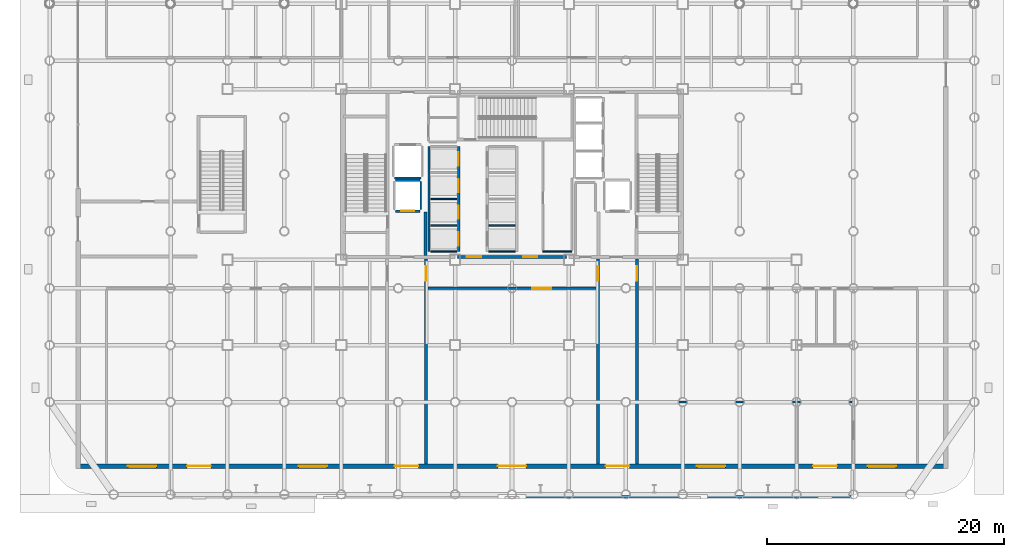
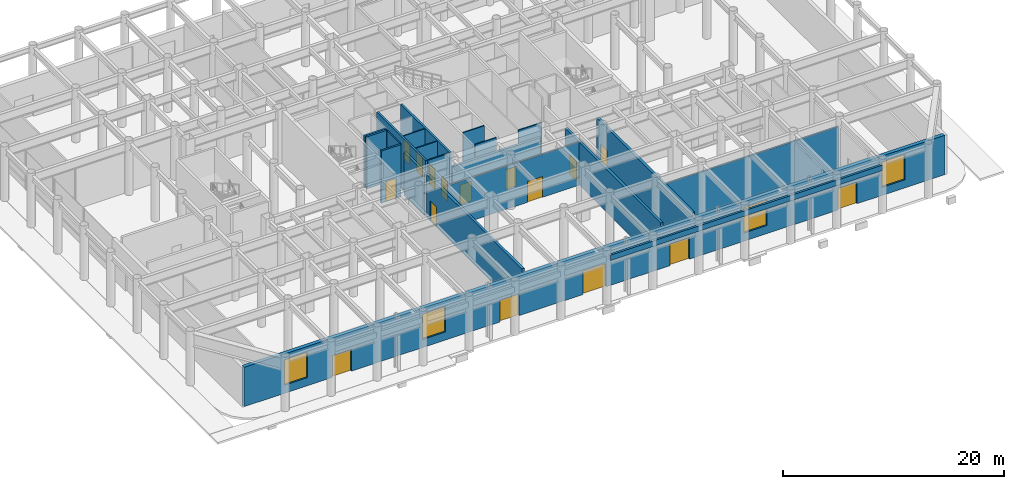
# One storey, part 16 of 23: 21 walls, 16 doors, 4 windows, 20 openings.
"""IFC4 building model written with IfcOpenShell, lengths in metres."""

from ifc_helpers import new_model, si_unit, direction, frame, frame_2d, origin, place, context, subcontext, project, spatial, rectangle, extrude, material, layer, layer_set, type_object, element, fill, save


model = new_model("IFC4")

# Units and contexts
model_context = context("Model", 3, precision=1e-05, world=origin(), true_north=direction((0.0, 1.0)))
body_context = subcontext(model_context, "Body", "Model", "MODEL_VIEW")
ifc_project = project(units=[si_unit("LENGTHUNIT", "METRE"), si_unit("AREAUNIT", "SQUARE_METRE"), si_unit("VOLUMEUNIT", "CUBIC_METRE"), si_unit("PLANEANGLEUNIT", "RADIAN"), si_unit("MASSUNIT", "GRAM", prefix="KILO")], contexts=[model_context])

# Site, building, storey
site_placement = place(None, origin())
site = spatial("IfcSite", under=ifc_project, at=site_placement, CompositionType="ELEMENT")
building_placement = place(site_placement, origin())
building = spatial("IfcBuilding", under=site, at=building_placement, Name="Kallvorn Hotel Tower", CompositionType="ELEMENT")
storey_placement = place(building_placement, origin())
storey = spatial("IfcBuildingStorey", under=building, at=storey_placement, Name="L00", CompositionType="ELEMENT", Elevation=0.0)

# Wall
ifc_material_1 = material(Name="Fire-rated double-layer acoustic gypsum drywall EI 60")
ifc_layer_1 = layer(ifc_material_1, 0.179931640625)
ifc_layer_set_1 = layer_set([ifc_layer_1], Name="WL_CORR_180")
wall_type_1 = type_object("IfcWallType", Name="WL_CORR_180", PredefinedType="PARTITIONING", material=ifc_layer_set_1)
wall_1_placement = place(storey_placement, frame((10.699951171875, -19.199951171875, 0.0), z_axis=(0.0, 0.0, 1.0), x_axis=(1.0, 0.0, 0.0)))
element("IfcWall", 1, at=wall_1_placement, inside=storey, type_object=wall_type_1, Name="L00 Fire Command Centre Partition", PredefinedType="PARTITIONING", context=body_context, shape_type="SweptSolid", body=[
    extrude(rectangle(XDim=17.97998046875, YDim=0.179931640625, at=frame_2d((8.989990234375, 0.0))), origin(), (0.0, 0.0, 1.0), 4.75),
])

# Wall, opening, door
wall_2_placement = place(storey_placement, frame((-7.10009765625, -9.60009765625, 0.0), z_axis=(0.0, 0.0, 1.0), x_axis=(1.0, 0.0, 0.0)))
wall_2 = element("IfcWall", 2, at=wall_2_placement, inside=storey, type_object=wall_type_1, Name="L00 Hotel Grand Arrival Lobby and Reception Partition", PredefinedType="PARTITIONING", context=body_context, shape_type="SweptSolid", body=[
    extrude(rectangle(XDim=14.2001953125, YDim=0.179931640625, at=frame_2d((7.10009765625, 0.0))), origin(), (0.0, 0.0, 1.0), 4.75),
])
opening_1_placement = place(wall_2_placement, frame((8.791748046875, 0.0, 0.0)))
opening_1 = element("IfcOpeningElement", 3, at=opening_1_placement, cuts=wall_2, Name="Opening HD1", PredefinedType="OPENING", context=body_context, shape_type="SweptSolid", body=[
    extrude(rectangle(XDim=1.60009765625, YDim=2.300048828125, at=frame_2d((0.800048828125, 1.14990234375))), frame((0.0, 0.104736328125, 0.0), z_axis=(0.0, -1.0, 0.0), x_axis=(1.0, 0.0, 0.0)), (0.0, 0.0, 1.0), 0.2099609375),
])
ifc_material_2 = material(Name="Solid-core walnut veneer fire-rated timber door leaf", Category="wood")
door_type_1 = type_object("IfcDoorType", Name="DR_HALL_1600x2300", OperationType="DOUBLE_DOOR_SINGLE_SWING", PredefinedType="DOOR", material=ifc_material_2)
door_1_placement = place(opening_1_placement, origin())
door_1 = element("IfcDoor", 4, at=door_1_placement, inside=storey, type_object=door_type_1, Name="L00 Hotel Grand Arrival Lobby and Reception Door", OperationType="DOUBLE_DOOR_SINGLE_SWING", OverallHeight=2.300048828125, OverallWidth=1.60009765625, PredefinedType="DOOR", context=body_context, shape_type="SweptSolid", body=[
    extrude(rectangle(XDim=1.60009765625, YDim=2.300048828125, at=frame_2d((0.800048828125, 1.14990234375))), frame((0.0, 0.02490234375, 0.0), z_axis=(0.0, -1.0, 0.0), x_axis=(1.0, 0.0, 0.0)), (0.0, 0.0, 1.0), 0.050048828125),
])
fill(opening_1, door_1)

# Wall, openings, doors, windows
ifc_material_3 = material(Name="Precast basalt-clad insulated concrete wall C40/50", Category="masonry")
ifc_layer_2 = layer(ifc_material_3, 0.3798828125)
ifc_layer_set_2 = layer_set([ifc_layer_2], Name="WL_EXT_PODIUM_380")
wall_type_2 = type_object("IfcWallType", Name="WL_EXT_PODIUM_380", PredefinedType="SOLIDWALL", material=ifc_layer_set_2)
wall_3_placement = place(storey_placement, frame((36.60009765625, -24.60009765625, 0.0), z_axis=(0.0, 0.0, 1.0), x_axis=(-1.0, 0.0, 0.0)))
wall_3 = element("IfcWall", 5, at=wall_3_placement, inside=storey, type_object=wall_type_2, Name="L00 South Colonnade Street Frontage Wall", PredefinedType="SOLIDWALL", context=body_context, shape_type="SweptSolid", body=[
    extrude(rectangle(XDim=73.2001953125, YDim=0.3798828125, at=frame_2d((36.60009765625, 0.0))), origin(), (0.0, 0.0, 1.0), 4.35009765625),
])
opening_2_placement = place(wall_3_placement, frame((62.0, 0.0, 0.0)))
opening_2 = element("IfcOpeningElement", 6, at=opening_2_placement, cuts=wall_3, Name="Opening ED01", PredefinedType="OPENING", context=body_context, shape_type="SweptSolid", body=[
    extrude(rectangle(XDim=2.0, YDim=2.39990234375, at=frame_2d((1.0, 1.199951171875))), frame((0.0, 0.204833984375, 0.0), z_axis=(0.0, -1.0, 0.0), x_axis=(1.0, 0.0, 0.0)), (0.0, 0.0, 1.0), 0.409912109375),
])
opening_3_placement = place(wall_3_placement, frame((44.5, 0.0, 0.0)))
opening_3 = element("IfcOpeningElement", 7, at=opening_3_placement, cuts=wall_3, Name="Opening ED02", PredefinedType="OPENING", context=body_context, shape_type="SweptSolid", body=[
    extrude(rectangle(XDim=2.0, YDim=2.39990234375, at=frame_2d((1.0, 1.199951171875))), frame((0.0, 0.204833984375, 0.0), z_axis=(0.0, -1.0, 0.0), x_axis=(1.0, 0.0, 0.0)), (0.0, 0.0, 1.0), 0.409912109375),
])
opening_4_placement = place(wall_3_placement, frame((35.39990234375, 0.0, 0.0)))
opening_4 = element("IfcOpeningElement", 8, at=opening_4_placement, cuts=wall_3, Name="Opening ED03", PredefinedType="OPENING", context=body_context, shape_type="SweptSolid", body=[
    extrude(rectangle(XDim=2.39990234375, YDim=2.60009765625, at=frame_2d((1.199951171875, 1.300048828125))), frame((0.0, 0.204833984375, 0.0), z_axis=(0.0, -1.0, 0.0), x_axis=(1.0, 0.0, 0.0)), (0.0, 0.0, 1.0), 0.409912109375),
])
opening_5_placement = place(wall_3_placement, frame((26.699951171875, 0.0, 0.0)))
opening_5 = element("IfcOpeningElement", 9, at=opening_5_placement, cuts=wall_3, Name="Opening ED04", PredefinedType="OPENING", context=body_context, shape_type="SweptSolid", body=[
    extrude(rectangle(XDim=2.0, YDim=2.39990234375, at=frame_2d((1.0, 1.199951171875))), frame((0.0, 0.204833984375, 0.0), z_axis=(0.0, -1.0, 0.0), x_axis=(1.0, 0.0, 0.0)), (0.0, 0.0, 1.0), 0.409912109375),
])
opening_6_placement = place(wall_3_placement, frame((9.199951171875, 0.0, 0.0)))
opening_6 = element("IfcOpeningElement", 10, at=opening_6_placement, cuts=wall_3, Name="Opening ED05", PredefinedType="OPENING", context=body_context, shape_type="SweptSolid", body=[
    extrude(rectangle(XDim=2.0, YDim=2.39990234375, at=frame_2d((1.0, 1.199951171875))), frame((0.0, 0.204833984375, 0.0), z_axis=(0.0, -1.0, 0.0), x_axis=(1.0, 0.0, 0.0)), (0.0, 0.0, 1.0), 0.409912109375),
])
opening_7_placement = place(wall_3_placement, frame((66.60009765625, 0.0, 0.89990234375)))
opening_7 = element("IfcOpeningElement", 11, at=opening_7_placement, cuts=wall_3, Name="Opening W01", PredefinedType="OPENING", context=body_context, shape_type="SweptSolid", body=[
    extrude(rectangle(XDim=2.39990234375, YDim=2.800048828125, at=frame_2d((1.199951171875, 1.39990234375))), frame((0.0, 0.204833984375, 0.0), z_axis=(0.0, -1.0, 0.0), x_axis=(1.0, 0.0, 0.0)), (0.0, 0.0, 1.0), 0.409912109375),
])
opening_8_placement = place(wall_3_placement, frame((52.199951171875, 0.0, 0.89990234375)))
opening_8 = element("IfcOpeningElement", 12, at=opening_8_placement, cuts=wall_3, Name="Opening W01", PredefinedType="OPENING", context=body_context, shape_type="SweptSolid", body=[
    extrude(rectangle(XDim=2.39990234375, YDim=2.800048828125, at=frame_2d((1.199951171875, 1.39990234375))), frame((0.0, 0.204833984375, 0.0), z_axis=(0.0, -1.0, 0.0), x_axis=(1.0, 0.0, 0.0)), (0.0, 0.0, 1.0), 0.409912109375),
])
opening_9_placement = place(wall_3_placement, frame((18.60009765625, 0.0, 0.89990234375)))
opening_9 = element("IfcOpeningElement", 13, at=opening_9_placement, cuts=wall_3, Name="Opening W01", PredefinedType="OPENING", context=body_context, shape_type="SweptSolid", body=[
    extrude(rectangle(XDim=2.39990234375, YDim=2.800048828125, at=frame_2d((1.199951171875, 1.39990234375))), frame((0.0, 0.204833984375, 0.0), z_axis=(0.0, -1.0, 0.0), x_axis=(1.0, 0.0, 0.0)), (0.0, 0.0, 1.0), 0.409912109375),
])
opening_10_placement = place(wall_3_placement, frame((4.199951171875, 0.0, 0.89990234375)))
opening_10 = element("IfcOpeningElement", 14, at=opening_10_placement, cuts=wall_3, Name="Opening W01", PredefinedType="OPENING", context=body_context, shape_type="SweptSolid", body=[
    extrude(rectangle(XDim=2.39990234375, YDim=2.800048828125, at=frame_2d((1.199951171875, 1.39990234375))), frame((0.0, 0.204833984375, 0.0), z_axis=(0.0, -1.0, 0.0), x_axis=(1.0, 0.0, 0.0)), (0.0, 0.0, 1.0), 0.409912109375),
])
ifc_material_4 = material(Name="Thermally broken black-anodised aluminium AA 6063-T6", Category="aluminium")
door_type_2 = type_object("IfcDoorType", Name="DR_EXIT_DBL_2000x2400", OperationType="DOUBLE_DOOR_SINGLE_SWING", PredefinedType="DOOR", material=ifc_material_4)
door_2_placement = place(opening_2_placement, origin())
door_2 = element("IfcDoor", 15, at=door_2_placement, inside=storey, type_object=door_type_2, Name="Ground Floor Street Exit Door ED01", OperationType="DOUBLE_DOOR_SINGLE_SWING", OverallHeight=2.39990234375, OverallWidth=2.0, PredefinedType="DOOR", context=body_context, shape_type="SweptSolid", body=[
    extrude(rectangle(XDim=2.0, YDim=2.39990234375, at=frame_2d((1.0, 1.199951171875))), frame((0.0, 0.02490234375, 0.0), z_axis=(0.0, -1.0, 0.0), x_axis=(1.0, 0.0, 0.0)), (0.0, 0.0, 1.0), 0.050048828125),
])
fill(opening_2, door_2)
door_3_placement = place(opening_3_placement, origin())
door_3 = element("IfcDoor", 16, at=door_3_placement, inside=storey, type_object=door_type_2, Name="Ground Floor Street Exit Door ED02", OperationType="DOUBLE_DOOR_SINGLE_SWING", OverallHeight=2.39990234375, OverallWidth=2.0, PredefinedType="DOOR", context=body_context, shape_type="SweptSolid", body=[
    extrude(rectangle(XDim=2.0, YDim=2.39990234375, at=frame_2d((1.0, 1.199951171875))), frame((0.0, 0.02490234375, 0.0), z_axis=(0.0, -1.0, 0.0), x_axis=(1.0, 0.0, 0.0)), (0.0, 0.0, 1.0), 0.050048828125),
])
fill(opening_3, door_3)
door_4_placement = place(opening_5_placement, origin())
door_4 = element("IfcDoor", 17, at=door_4_placement, inside=storey, type_object=door_type_2, Name="Ground Floor Street Exit Door ED04", OperationType="DOUBLE_DOOR_SINGLE_SWING", OverallHeight=2.39990234375, OverallWidth=2.0, PredefinedType="DOOR", context=body_context, shape_type="SweptSolid", body=[
    extrude(rectangle(XDim=2.0, YDim=2.39990234375, at=frame_2d((1.0, 1.199951171875))), frame((0.0, 0.02490234375, 0.0), z_axis=(0.0, -1.0, 0.0), x_axis=(1.0, 0.0, 0.0)), (0.0, 0.0, 1.0), 0.050048828125),
])
fill(opening_5, door_4)
door_5_placement = place(opening_6_placement, origin())
door_5 = element("IfcDoor", 18, at=door_5_placement, inside=storey, type_object=door_type_2, Name="Ground Floor Street Exit Door ED05", OperationType="DOUBLE_DOOR_SINGLE_SWING", OverallHeight=2.39990234375, OverallWidth=2.0, PredefinedType="DOOR", context=body_context, shape_type="SweptSolid", body=[
    extrude(rectangle(XDim=2.0, YDim=2.39990234375, at=frame_2d((1.0, 1.199951171875))), frame((0.0, 0.02490234375, 0.0), z_axis=(0.0, -1.0, 0.0), x_axis=(1.0, 0.0, 0.0)), (0.0, 0.0, 1.0), 0.050048828125),
])
fill(opening_6, door_5)
ifc_material_5 = material(Name="Thermally broken black-anodised aluminium AA 6063-T6", Category="aluminium")
door_type_3 = type_object("IfcDoorType", Name="DR_LOBBY_DBL_2400x2600", OperationType="DOUBLE_DOOR_SINGLE_SWING", PredefinedType="DOOR", material=ifc_material_5)
door_6_placement = place(opening_4_placement, origin())
door_6 = element("IfcDoor", 19, at=door_6_placement, inside=storey, type_object=door_type_3, Name="Ground Floor Street Exit Door ED03", OperationType="DOUBLE_DOOR_SINGLE_SWING", OverallHeight=2.60009765625, OverallWidth=2.39990234375, PredefinedType="DOOR", context=body_context, shape_type="SweptSolid", body=[
    extrude(rectangle(XDim=2.39990234375, YDim=2.60009765625, at=frame_2d((1.199951171875, 1.300048828125))), frame((0.0, 0.02490234375, 0.0), z_axis=(0.0, -1.0, 0.0), x_axis=(1.0, 0.0, 0.0)), (0.0, 0.0, 1.0), 0.050048828125),
])
fill(opening_4, door_6)
ifc_material_6 = material(Name="Double-glazed low-e solar-control dark glass", Category="glass")
window_type = type_object("IfcWindowType", Name="WN_POD_2400x2800", PartitioningType="SINGLE_PANEL", PredefinedType="WINDOW", material=ifc_material_6)
window_1_placement = place(opening_7_placement, origin())
window_1 = element("IfcWindow", 20, at=window_1_placement, inside=storey, type_object=window_type, Name="L00 South Bistro and Retail Window 1", OverallHeight=2.800048828125, OverallWidth=2.39990234375, PartitioningType="SINGLE_PANEL", PredefinedType="WINDOW", context=body_context, shape_type="SweptSolid", body=[
    extrude(rectangle(XDim=2.39990234375, YDim=2.800048828125, at=frame_2d((1.199951171875, 1.39990234375))), frame((0.0, 0.030029296875, 0.0), z_axis=(0.0, -1.0, 0.0), x_axis=(1.0, 0.0, 0.0)), (0.0, 0.0, 1.0), 0.06005859375),
])
fill(opening_7, window_1)
window_2_placement = place(opening_8_placement, origin())
window_2 = element("IfcWindow", 21, at=window_2_placement, inside=storey, type_object=window_type, Name="L00 South Bistro and Retail Window 2", OverallHeight=2.800048828125, OverallWidth=2.39990234375, PartitioningType="SINGLE_PANEL", PredefinedType="WINDOW", context=body_context, shape_type="SweptSolid", body=[
    extrude(rectangle(XDim=2.39990234375, YDim=2.800048828125, at=frame_2d((1.199951171875, 1.39990234375))), frame((0.0, 0.030029296875, 0.0), z_axis=(0.0, -1.0, 0.0), x_axis=(1.0, 0.0, 0.0)), (0.0, 0.0, 1.0), 0.06005859375),
])
fill(opening_8, window_2)
window_3_placement = place(opening_9_placement, origin())
window_3 = element("IfcWindow", 22, at=window_3_placement, inside=storey, type_object=window_type, Name="L00 South Bistro and Retail Window 3", OverallHeight=2.800048828125, OverallWidth=2.39990234375, PartitioningType="SINGLE_PANEL", PredefinedType="WINDOW", context=body_context, shape_type="SweptSolid", body=[
    extrude(rectangle(XDim=2.39990234375, YDim=2.800048828125, at=frame_2d((1.199951171875, 1.39990234375))), frame((0.0, 0.030029296875, 0.0), z_axis=(0.0, -1.0, 0.0), x_axis=(1.0, 0.0, 0.0)), (0.0, 0.0, 1.0), 0.06005859375),
])
fill(opening_9, window_3)
window_4_placement = place(opening_10_placement, origin())
window_4 = element("IfcWindow", 23, at=window_4_placement, inside=storey, type_object=window_type, Name="L00 South Bistro and Retail Window 4", OverallHeight=2.800048828125, OverallWidth=2.39990234375, PartitioningType="SINGLE_PANEL", PredefinedType="WINDOW", context=body_context, shape_type="SweptSolid", body=[
    extrude(rectangle(XDim=2.39990234375, YDim=2.800048828125, at=frame_2d((1.199951171875, 1.39990234375))), frame((0.0, 0.030029296875, 0.0), z_axis=(0.0, -1.0, 0.0), x_axis=(1.0, 0.0, 0.0)), (0.0, 0.0, 1.0), 0.06005859375),
])
fill(opening_10, window_4)

# Wall
ifc_material_7 = material(Name="Concrete C40/50", Category="concrete")
ifc_layer_3 = layer(ifc_material_7, 0.219970703125)
ifc_layer_set_3 = layer_set([ifc_layer_3], Name="WL_FFL_220")
wall_type_3 = type_object("IfcWallType", Name="WL_FFL_220", PredefinedType="SOLIDWALL", material=ifc_layer_set_3)
wall_4_placement = place(storey_placement, frame((-7.300048828125, -6.820068359375, 0.0), z_axis=(0.0, 0.0, 1.0), x_axis=(0.0, 1.0, 0.0)))
element("IfcWall", 24, at=wall_4_placement, inside=storey, type_object=wall_type_3, Name="L00 Firefighting Lobby West Divider Wall", PredefinedType="SOLIDWALL", context=body_context, shape_type="SweptSolid", body=[
    extrude(rectangle(XDim=3.670166015625, YDim=0.219970703125, at=frame_2d((1.8349609375, 0.0))), origin(), (0.0, 0.0, 1.0), 4.75),
])

# Wall, openings, doors
ifc_material_8 = material(Name="Concrete C40/50", Category="concrete")
ifc_layer_4 = layer(ifc_material_8, 0.199951171875)
ifc_layer_set_4 = layer_set([ifc_layer_4], Name="WL_HOIST_200")
wall_type_4 = type_object("IfcWallType", Name="WL_HOIST_200", PredefinedType="SOLIDWALL", material=ifc_layer_set_4)
wall_5_placement = place(storey_placement, frame((-4.5, -6.5, 0.0), z_axis=(0.0, 0.0, 1.0), x_axis=(0.0, 1.0, 0.0)))
wall_5 = element("IfcWall", 25, at=wall_5_placement, inside=storey, type_object=wall_type_4, Name="L00 Lift Bank B1 Landing Wall", PredefinedType="SOLIDWALL", context=body_context, shape_type="SweptSolid", body=[
    extrude(rectangle(XDim=8.85009765625, YDim=0.199951171875, at=frame_2d((4.425048828125, 0.0))), origin(), (0.0, 0.0, 1.0), 5.75),
])
opening_11_placement = place(wall_5_placement, frame((0.5, 0.0, 0.0)))
opening_11 = element("IfcOpeningElement", 26, at=opening_11_placement, cuts=wall_5, Name="Opening LD-PL-01", PredefinedType="OPENING", context=body_context, shape_type="SweptSolid", body=[
    extrude(rectangle(XDim=1.10009765625, YDim=2.199951171875, at=frame_2d((0.550048828125, 1.10009765625))), frame((0.0, 0.114990234375, 0.0), z_axis=(0.0, -1.0, 0.0), x_axis=(1.0, 0.0, 0.0)), (0.0, 0.0, 1.0), 0.22998046875),
])
opening_12_placement = place(wall_5_placement, frame((2.75, 0.0, 0.0)))
opening_12 = element("IfcOpeningElement", 27, at=opening_12_placement, cuts=wall_5, Name="Opening LD-PL-02", PredefinedType="OPENING", context=body_context, shape_type="SweptSolid", body=[
    extrude(rectangle(XDim=1.10009765625, YDim=2.199951171875, at=frame_2d((0.550048828125, 1.10009765625))), frame((0.0, 0.114990234375, 0.0), z_axis=(0.0, -1.0, 0.0), x_axis=(1.0, 0.0, 0.0)), (0.0, 0.0, 1.0), 0.22998046875),
])
opening_13_placement = place(wall_5_placement, frame((5.0, 0.0, 0.0)))
opening_13 = element("IfcOpeningElement", 28, at=opening_13_placement, cuts=wall_5, Name="Opening LD-PL-03", PredefinedType="OPENING", context=body_context, shape_type="SweptSolid", body=[
    extrude(rectangle(XDim=1.10009765625, YDim=2.199951171875, at=frame_2d((0.550048828125, 1.10009765625))), frame((0.0, 0.114990234375, 0.0), z_axis=(0.0, -1.0, 0.0), x_axis=(1.0, 0.0, 0.0)), (0.0, 0.0, 1.0), 0.22998046875),
])
opening_14_placement = place(wall_5_placement, frame((7.25, 0.0, 0.0)))
opening_14 = element("IfcOpeningElement", 29, at=opening_14_placement, cuts=wall_5, Name="Opening LD-PL-04", PredefinedType="OPENING", context=body_context, shape_type="SweptSolid", body=[
    extrude(rectangle(XDim=1.10009765625, YDim=2.199951171875, at=frame_2d((0.550048828125, 1.10009765625))), frame((0.0, 0.114990234375, 0.0), z_axis=(0.0, -1.0, 0.0), x_axis=(1.0, 0.0, 0.0)), (0.0, 0.0, 1.0), 0.22998046875),
])
ifc_material_9 = material(Name="Brushed stainless-steel automatic sliding lift landing door", Category="steel")
door_type_4 = type_object("IfcDoorType", Name="LD_PASS_1100x2200", OperationType="SLIDING_TO_LEFT", PredefinedType="DOOR", material=ifc_material_9)
door_7_placement = place(opening_11_placement, origin())
door_7 = element("IfcDoor", 30, at=door_7_placement, inside=storey, type_object=door_type_4, Name="L00 Lift Landing Sliding Door LD-PL-01", OperationType="SLIDING_TO_LEFT", OverallHeight=2.199951171875, OverallWidth=1.10009765625, PredefinedType="DOOR", context=body_context, shape_type="SweptSolid", body=[
    extrude(rectangle(XDim=1.10009765625, YDim=2.199951171875, at=frame_2d((0.550048828125, 1.10009765625))), frame((0.0, 0.02490234375, 0.0), z_axis=(0.0, -1.0, 0.0), x_axis=(1.0, 0.0, 0.0)), (0.0, 0.0, 1.0), 0.050048828125),
])
fill(opening_11, door_7)
door_8_placement = place(opening_12_placement, origin())
door_8 = element("IfcDoor", 31, at=door_8_placement, inside=storey, type_object=door_type_4, Name="L00 Lift Landing Sliding Door LD-PL-02", OperationType="SLIDING_TO_LEFT", OverallHeight=2.199951171875, OverallWidth=1.10009765625, PredefinedType="DOOR", context=body_context, shape_type="SweptSolid", body=[
    extrude(rectangle(XDim=1.10009765625, YDim=2.199951171875, at=frame_2d((0.550048828125, 1.10009765625))), frame((0.0, 0.02490234375, 0.0), z_axis=(0.0, -1.0, 0.0), x_axis=(1.0, 0.0, 0.0)), (0.0, 0.0, 1.0), 0.050048828125),
])
fill(opening_12, door_8)
door_9_placement = place(opening_13_placement, origin())
door_9 = element("IfcDoor", 32, at=door_9_placement, inside=storey, type_object=door_type_4, Name="L00 Lift Landing Sliding Door LD-PL-03", OperationType="SLIDING_TO_LEFT", OverallHeight=2.199951171875, OverallWidth=1.10009765625, PredefinedType="DOOR", context=body_context, shape_type="SweptSolid", body=[
    extrude(rectangle(XDim=1.10009765625, YDim=2.199951171875, at=frame_2d((0.550048828125, 1.10009765625))), frame((0.0, 0.02490234375, 0.0), z_axis=(0.0, -1.0, 0.0), x_axis=(1.0, 0.0, 0.0)), (0.0, 0.0, 1.0), 0.050048828125),
])
fill(opening_13, door_9)
door_10_placement = place(opening_14_placement, origin())
door_10 = element("IfcDoor", 33, at=door_10_placement, inside=storey, type_object=door_type_4, Name="L00 Lift Landing Sliding Door LD-PL-04", OperationType="SLIDING_TO_LEFT", OverallHeight=2.199951171875, OverallWidth=1.10009765625, PredefinedType="DOOR", context=body_context, shape_type="SweptSolid", body=[
    extrude(rectangle(XDim=1.10009765625, YDim=2.199951171875, at=frame_2d((0.550048828125, 1.10009765625))), frame((0.0, 0.02490234375, 0.0), z_axis=(0.0, -1.0, 0.0), x_axis=(1.0, 0.0, 0.0)), (0.0, 0.0, 1.0), 0.050048828125),
])
fill(opening_14, door_10)

# Wall
wall_6_placement = place(storey_placement, frame((-7.0, -6.5, 0.0), z_axis=(0.0, 0.0, 1.0), x_axis=(0.0, 1.0, 0.0)))
element("IfcWall", 34, at=wall_6_placement, inside=storey, type_object=wall_type_4, Name="L00 Lift Bank B1 Rear Shaft Wall", PredefinedType="SOLIDWALL", context=body_context, shape_type="SweptSolid", body=[
    extrude(rectangle(XDim=8.85009765625, YDim=0.199951171875, at=frame_2d((4.425048828125, 0.0))), origin(), (0.0, 0.0, 1.0), 5.75),
])

# Wall, opening, door
wall_7_placement = place(storey_placement, frame((-9.820068359375, -3.10009765625, 0.0), z_axis=(0.0, 0.0, 1.0), x_axis=(1.0, 0.0, 0.0)))
wall_7 = element("IfcWall", 35, at=wall_7_placement, inside=storey, type_object=wall_type_4, Name="L00 FL-1 Landing Wall", PredefinedType="SOLIDWALL", context=body_context, shape_type="SweptSolid", body=[
    extrude(rectangle(XDim=2.0400390625, YDim=0.199951171875, at=frame_2d((1.02001953125, 0.0))), origin(), (0.0, 0.0, 1.0), 5.75),
])
opening_15_placement = place(wall_7_placement, frame((0.469970703125, 0.0, 0.0)))
opening_15 = element("IfcOpeningElement", 36, at=opening_15_placement, cuts=wall_7, Name="Opening LD-FL-1", PredefinedType="OPENING", context=body_context, shape_type="SweptSolid", body=[
    extrude(rectangle(XDim=1.10009765625, YDim=2.199951171875, at=frame_2d((0.550048828125, 1.10009765625))), frame((0.0, 0.114990234375, 0.0), z_axis=(0.0, -1.0, 0.0), x_axis=(1.0, 0.0, 0.0)), (0.0, 0.0, 1.0), 0.22998046875),
])
door_11_placement = place(opening_15_placement, origin())
door_11 = element("IfcDoor", 37, at=door_11_placement, inside=storey, type_object=door_type_4, Name="L00 Lift Landing Sliding Door LD-FL-1", OperationType="SLIDING_TO_LEFT", OverallHeight=2.199951171875, OverallWidth=1.10009765625, PredefinedType="DOOR", context=body_context, shape_type="SweptSolid", body=[
    extrude(rectangle(XDim=1.10009765625, YDim=2.199951171875, at=frame_2d((0.550048828125, 1.10009765625))), frame((0.0, 0.02490234375, 0.0), z_axis=(0.0, -1.0, 0.0), x_axis=(1.0, 0.0, 0.0)), (0.0, 0.0, 1.0), 0.050048828125),
])
fill(opening_15, door_11)

# Walls
wall_8_placement = place(storey_placement, frame((-9.820068359375, -0.5, 0.0), z_axis=(0.0, 0.0, 1.0), x_axis=(1.0, 0.0, 0.0)))
element("IfcWall", 38, at=wall_8_placement, inside=storey, type_object=wall_type_4, Name="L00 FL-1 Rear Shaft Wall", PredefinedType="SOLIDWALL", context=body_context, shape_type="SweptSolid", body=[
    extrude(rectangle(XDim=2.0400390625, YDim=0.199951171875, at=frame_2d((1.02001953125, 0.0))), origin(), (0.0, 0.0, 1.0), 5.75),
])
wall_9_placement = place(storey_placement, frame((-9.919921875, -0.300048828125, 0.0), z_axis=(0.0, 0.0, 1.0), x_axis=(1.0, 0.0, 0.0)))
element("IfcWall", 39, at=wall_9_placement, inside=storey, type_object=wall_type_4, Name="L00 SV-01 Rear Shaft Wall", PredefinedType="SOLIDWALL", context=body_context, shape_type="SweptSolid", body=[
    extrude(rectangle(XDim=2.239990234375, YDim=0.199951171875, at=frame_2d((1.1201171875, 0.0))), origin(), (0.0, 0.0, 1.0), 5.75),
])
ifc_material_10 = material(Name="Fire-rated double-layer acoustic gypsum drywall EI 60")
ifc_layer_5 = layer(ifc_material_10, 0.1201171875)
ifc_layer_set_5 = layer_set([ifc_layer_5], Name="WL_INT_120")
wall_type_5 = type_object("IfcWallType", Name="WL_INT_120", PredefinedType="PARTITIONING", material=ifc_layer_set_5)
for number, where, z_axis, x_axis, name in (
    (40, (-6.860107421875, -6.5, 0.0), (0.0, 0.0, 1.0), (1.0, 0.0, 0.0), "L00 Lift Bank B1 South Closure Wall"),
    (41, (-6.860107421875, -4.324951171875, 0.0), (0.0, 0.0, 1.0), (1.0, 0.0, 0.0), "L00 PL-01 Hoistway Divider"),
    (42, (-6.860107421875, -2.074951171875, 0.0), (0.0, 0.0, 1.0), (1.0, 0.0, 0.0), "L00 PL-02 Hoistway Divider"),
):
    element("IfcWall", number, at=place(storey_placement, frame(where, z_axis=z_axis, x_axis=x_axis)), inside=storey, type_object=wall_type_5, Name=name, PredefinedType="PARTITIONING", context=body_context, shape_type="SweptSolid", body=[
        extrude(rectangle(XDim=2.22021484375, YDim=0.1201171875, at=frame_2d((1.110107421875, 0.0))), origin(), (0.0, 0.0, 1.0), 5.75),
    ])
for number, where, z_axis, x_axis, name in (
    (43, (-1.9599609375, -6.5, 0.0), (0.0, 0.0, 1.0), (1.0, 0.0, 0.0), "L00 Lift Bank B2 South Closure Wall"),
    (44, (-1.9599609375, -4.324951171875, 0.0), (0.0, 0.0, 1.0), (1.0, 0.0, 0.0), "L00 PL-05 Hoistway Divider"),
):
    element("IfcWall", number, at=place(storey_placement, frame(where, z_axis=z_axis, x_axis=x_axis)), inside=storey, type_object=wall_type_5, Name=name, PredefinedType="PARTITIONING", context=body_context, shape_type="SweptSolid", body=[
        extrude(rectangle(XDim=2.219970703125, YDim=0.1201171875, at=frame_2d((1.10986328125, 0.0))), origin(), (0.0, 0.0, 1.0), 5.75),
    ])
wall_10_placement = place(storey_placement, frame((-7.699951171875, -2.9599609375, 0.0), z_axis=(0.0, 0.0, 1.0), x_axis=(0.0, 1.0, 0.0)))
element("IfcWall", 45, at=wall_10_placement, inside=storey, type_object=wall_type_5, Name="L00 FL-1 East Shaft Wall", PredefinedType="PARTITIONING", context=body_context, shape_type="SweptSolid", body=[
    extrude(rectangle(XDim=2.320068359375, YDim=0.1201171875, at=frame_2d((1.16015625, 0.0))), origin(), (0.0, 0.0, 1.0), 5.75),
])
wall_11_placement = place(storey_placement, frame((2.60009765625, -6.5, 0.0), z_axis=(0.0, 0.0, 1.0), x_axis=(1.0, 0.0, 0.0)))
element("IfcWall", 46, at=wall_11_placement, inside=storey, type_object=wall_type_5, Name="L00 East Core Consolidated Linen and Supply Store Partition", PredefinedType="PARTITIONING", context=body_context, shape_type="SweptSolid", body=[
    extrude(rectangle(XDim=2.449951171875, YDim=0.1201171875, at=frame_2d((1.22509765625, 0.0))), origin(), (0.0, 0.0, 1.0), 5.75),
])
ifc_material_11 = material(Name="Concrete C40/50", Category="concrete")
ifc_layer_6 = layer(ifc_material_11, 0.219970703125)
ifc_layer_set_6 = layer_set([ifc_layer_6], Name="WL_PARAPET_220")
wall_type_6 = type_object("IfcWallType", Name="WL_PARAPET_220", PredefinedType="PARAPET", material=ifc_layer_set_6)
wall_12_placement = place(storey_placement, frame((0.199951171875, -27.199951171875, 4.780029296875), z_axis=(0.0, 0.0, 1.0), x_axis=(1.0, 0.0, 0.0)))
element("IfcWall", 47, at=wall_12_placement, inside=storey, type_object=wall_type_6, Name="L00 Porte-Cochere Canopy Fascia Parapet 2", PredefinedType="PARAPET", context=body_context, shape_type="SweptSolid", body=[
    extrude(rectangle(XDim=28.400146484375, YDim=0.219970703125, at=frame_2d((14.2001953125, 0.0))), origin(), (0.0, 0.0, 1.0), 0.599853515625),
])

# Wall, openings, doors
ifc_material_12 = material(Name="Concrete C40/50", Category="concrete")
ifc_layer_7 = layer(ifc_material_12, 0.25)
ifc_layer_set_7 = layer_set([ifc_layer_7], Name="WL_SHAFT_250")
wall_type_7 = type_object("IfcWallType", Name="WL_SHAFT_250", PredefinedType="SOLIDWALL", material=ifc_layer_set_7)
wall_13_placement = place(storey_placement, frame((-4.60009765625, -6.949951171875, 0.0), z_axis=(0.0, 0.0, 1.0), x_axis=(1.0, 0.0, 0.0)))
wall_13 = element("IfcWall", 48, at=wall_13_placement, inside=storey, type_object=wall_type_7, Name="L00 Core South-Central Wall", PredefinedType="SOLIDWALL", context=body_context, shape_type="SweptSolid", body=[
    extrude(rectangle(XDim=9.2001953125, YDim=0.25, at=frame_2d((4.60009765625, 0.0))), origin(), (0.0, 0.0, 1.0), 4.550048828125),
])
opening_16_placement = place(wall_13_placement, frame((0.800048828125, 0.0, 0.0)))
opening_16 = element("IfcOpeningElement", 49, at=opening_16_placement, cuts=wall_13, Name="Opening FD2", PredefinedType="OPENING", context=body_context, shape_type="SweptSolid", body=[
    extrude(rectangle(XDim=1.199951171875, YDim=2.199951171875, at=frame_2d((0.60009765625, 1.10009765625))), frame((0.0, 0.139892578125, 0.0), z_axis=(0.0, -1.0, 0.0), x_axis=(1.0, 0.0, 0.0)), (0.0, 0.0, 1.0), 0.280029296875),
])
opening_17_placement = place(wall_13_placement, frame((5.550048828125, 0.0, 0.0)))
opening_17 = element("IfcOpeningElement", 50, at=opening_17_placement, cuts=wall_13, Name="Opening FD2", PredefinedType="OPENING", context=body_context, shape_type="SweptSolid", body=[
    extrude(rectangle(XDim=1.199951171875, YDim=2.199951171875, at=frame_2d((0.60009765625, 1.10009765625))), frame((0.0, 0.139892578125, 0.0), z_axis=(0.0, -1.0, 0.0), x_axis=(1.0, 0.0, 0.0)), (0.0, 0.0, 1.0), 0.280029296875),
])
ifc_material_13 = material(Name="Galvanised painted steel fire-rated door assembly", Category="steel")
door_type_5 = type_object("IfcDoorType", Name="DR_LOBBY_1200x2200", OperationType="DOUBLE_DOOR_SINGLE_SWING", PredefinedType="DOOR", material=ifc_material_13)
door_12_placement = place(opening_16_placement, origin())
door_12 = element("IfcDoor", 51, at=door_12_placement, inside=storey, type_object=door_type_5, Name="L00 West Passenger Lift Lobby Door", OperationType="DOUBLE_DOOR_SINGLE_SWING", OverallHeight=2.199951171875, OverallWidth=1.199951171875, PredefinedType="DOOR", context=body_context, shape_type="SweptSolid", body=[
    extrude(rectangle(XDim=1.199951171875, YDim=2.199951171875, at=frame_2d((0.60009765625, 1.10009765625))), frame((0.0, 0.02490234375, 0.0), z_axis=(0.0, -1.0, 0.0), x_axis=(1.0, 0.0, 0.0)), (0.0, 0.0, 1.0), 0.050048828125),
])
fill(opening_16, door_12)
door_13_placement = place(opening_17_placement, origin())
door_13 = element("IfcDoor", 52, at=door_13_placement, inside=storey, type_object=door_type_5, Name="L00 East Passenger Lift Lobby Door", OperationType="DOUBLE_DOOR_SINGLE_SWING", OverallHeight=2.199951171875, OverallWidth=1.199951171875, PredefinedType="DOOR", context=body_context, shape_type="SweptSolid", body=[
    extrude(rectangle(XDim=1.199951171875, YDim=2.199951171875, at=frame_2d((0.60009765625, 1.10009765625))), frame((0.0, 0.02490234375, 0.0), z_axis=(0.0, -1.0, 0.0), x_axis=(1.0, 0.0, 0.0)), (0.0, 0.0, 1.0), 0.050048828125),
])
fill(opening_17, door_13)

# Wall, opening, door
wall_14_placement = place(storey_placement, frame((-7.25, -24.409912109375, 0.0), z_axis=(0.0, 0.0, 1.0), x_axis=(0.0, 1.0, 0.0)))
wall_14 = element("IfcWall", 53, at=wall_14_placement, inside=storey, type_object=wall_type_7, Name="L00 South-West Protected Exit Passageway East Wall", PredefinedType="SOLIDWALL", context=body_context, shape_type="SweptSolid", body=[
    extrude(rectangle(XDim=17.289794921875, YDim=0.25, at=frame_2d((8.64501953125, 0.0))), origin(), (0.0, 0.0, 1.0), 4.75),
])
opening_18_placement = place(wall_14_placement, frame((15.449951171875, 0.0, 0.0)))
opening_18 = element("IfcOpeningElement", 54, at=opening_18_placement, cuts=wall_14, Name="Opening FD2", PredefinedType="OPENING", context=body_context, shape_type="SweptSolid", body=[
    extrude(rectangle(XDim=1.199951171875, YDim=2.199951171875, at=frame_2d((0.60009765625, 1.10009765625))), frame((0.0, 0.139892578125, 0.0), z_axis=(0.0, -1.0, 0.0), x_axis=(1.0, 0.0, 0.0)), (0.0, 0.0, 1.0), 0.280029296875),
])
door_14_placement = place(opening_18_placement, origin())
door_14 = element("IfcDoor", 55, at=door_14_placement, inside=storey, type_object=door_type_5, Name="L00 Arrival Corridor West Fire Exit Door", OperationType="DOUBLE_DOOR_SINGLE_SWING", OverallHeight=2.199951171875, OverallWidth=1.199951171875, PredefinedType="DOOR", context=body_context, shape_type="SweptSolid", body=[
    extrude(rectangle(XDim=1.199951171875, YDim=2.199951171875, at=frame_2d((0.60009765625, 1.10009765625))), frame((0.0, 0.02490234375, 0.0), z_axis=(0.0, -1.0, 0.0), x_axis=(1.0, 0.0, 0.0)), (0.0, 0.0, 1.0), 0.050048828125),
])
fill(opening_18, door_14)

wall_15_placement = place(storey_placement, frame((7.25, -24.409912109375, 0.0), z_axis=(0.0, 0.0, 1.0), x_axis=(0.0, 1.0, 0.0)))
wall_15 = element("IfcWall", 56, at=wall_15_placement, inside=storey, type_object=wall_type_7, Name="L00 South-East Protected Exit Passageway West Wall", PredefinedType="SOLIDWALL", context=body_context, shape_type="SweptSolid", body=[
    extrude(rectangle(XDim=17.289794921875, YDim=0.25, at=frame_2d((8.64501953125, 0.0))), origin(), (0.0, 0.0, 1.0), 4.75),
])
opening_19_placement = place(wall_15_placement, frame((15.449951171875, 0.0, 0.0)))
opening_19 = element("IfcOpeningElement", 57, at=opening_19_placement, cuts=wall_15, Name="Opening FD2", PredefinedType="OPENING", context=body_context, shape_type="SweptSolid", body=[
    extrude(rectangle(XDim=1.199951171875, YDim=2.199951171875, at=frame_2d((0.60009765625, 1.10009765625))), frame((0.0, 0.139892578125, 0.0), z_axis=(0.0, -1.0, 0.0), x_axis=(1.0, 0.0, 0.0)), (0.0, 0.0, 1.0), 0.280029296875),
])
door_15_placement = place(opening_19_placement, origin())
door_15 = element("IfcDoor", 58, at=door_15_placement, inside=storey, type_object=door_type_5, Name="L00 Arrival Corridor East Fire Exit Door", OperationType="DOUBLE_DOOR_SINGLE_SWING", OverallHeight=2.199951171875, OverallWidth=1.199951171875, PredefinedType="DOOR", context=body_context, shape_type="SweptSolid", body=[
    extrude(rectangle(XDim=1.199951171875, YDim=2.199951171875, at=frame_2d((0.60009765625, 1.10009765625))), frame((0.0, 0.02490234375, 0.0), z_axis=(0.0, -1.0, 0.0), x_axis=(1.0, 0.0, 0.0)), (0.0, 0.0, 1.0), 0.050048828125),
])
fill(opening_19, door_15)

wall_16_placement = place(storey_placement, frame((10.550048828125, -24.409912109375, 0.0), z_axis=(0.0, 0.0, 1.0), x_axis=(0.0, 1.0, 0.0)))
wall_16 = element("IfcWall", 59, at=wall_16_placement, inside=storey, type_object=wall_type_7, Name="L00 South-East Protected Exit Passageway East Wall", PredefinedType="SOLIDWALL", context=body_context, shape_type="SweptSolid", body=[
    extrude(rectangle(XDim=17.289794921875, YDim=0.25, at=frame_2d((8.64501953125, 0.0))), origin(), (0.0, 0.0, 1.0), 4.75),
])
opening_20_placement = place(wall_16_placement, frame((15.449951171875, 0.0, 0.0)))
opening_20 = element("IfcOpeningElement", 60, at=opening_20_placement, cuts=wall_16, Name="Opening FD2", PredefinedType="OPENING", context=body_context, shape_type="SweptSolid", body=[
    extrude(rectangle(XDim=1.199951171875, YDim=2.199951171875, at=frame_2d((0.60009765625, 1.10009765625))), frame((0.0, 0.139892578125, 0.0), z_axis=(0.0, -1.0, 0.0), x_axis=(1.0, 0.0, 0.0)), (0.0, 0.0, 1.0), 0.280029296875),
])
door_16_placement = place(opening_20_placement, origin())
door_16 = element("IfcDoor", 61, at=door_16_placement, inside=storey, type_object=door_type_5, Name="L00 South-East Concourse Fire Exit Door", OperationType="DOUBLE_DOOR_SINGLE_SWING", OverallHeight=2.199951171875, OverallWidth=1.199951171875, PredefinedType="DOOR", context=body_context, shape_type="SweptSolid", body=[
    extrude(rectangle(XDim=1.199951171875, YDim=2.199951171875, at=frame_2d((0.60009765625, 1.10009765625))), frame((0.0, 0.02490234375, 0.0), z_axis=(0.0, -1.0, 0.0), x_axis=(1.0, 0.0, 0.0)), (0.0, 0.0, 1.0), 0.050048828125),
])
fill(opening_20, door_16)

save(model, "model.ifc")
